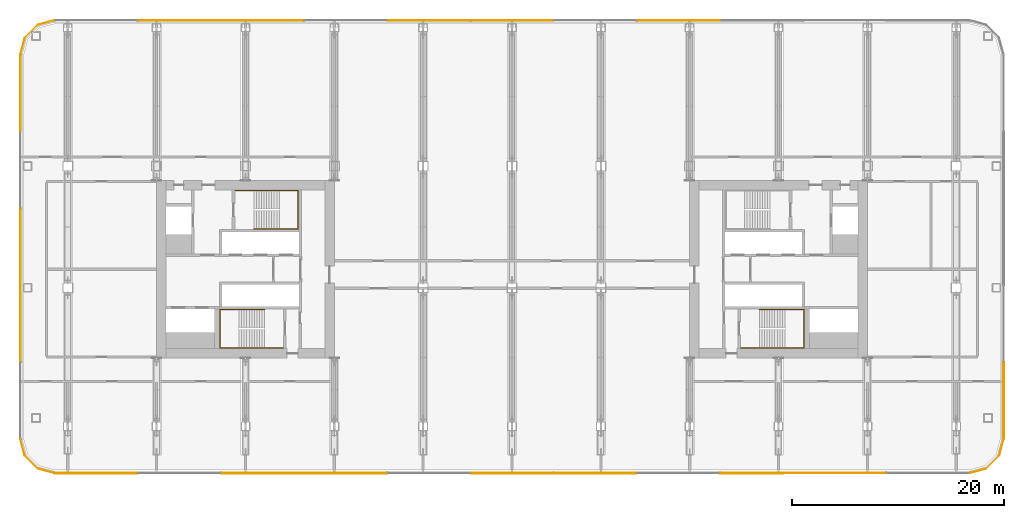
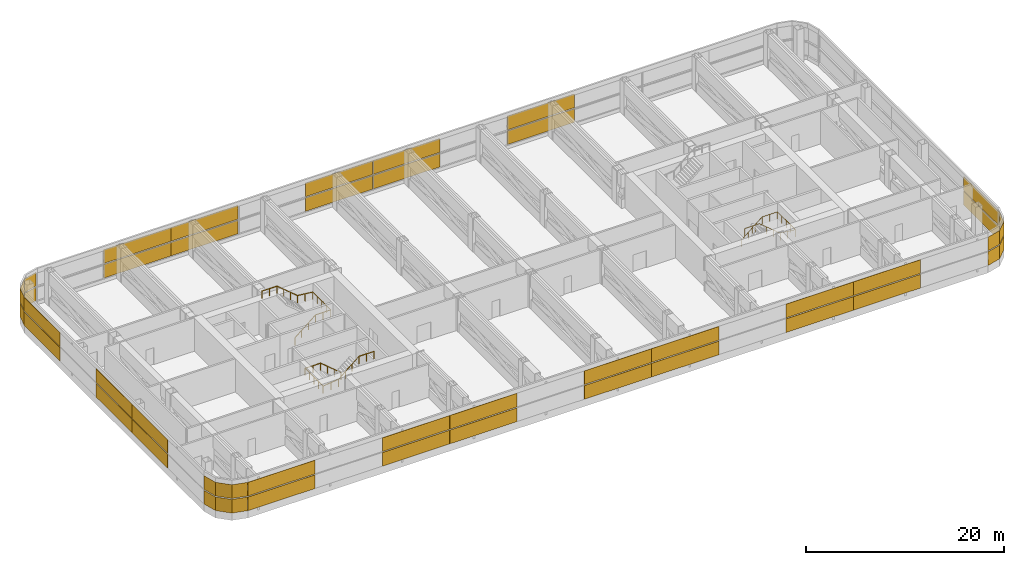
# One storey, part 30 of 31: 38 shading devices, 3 railings, 7 elements without a shape of their own.
"""IFC4 building model written with IfcOpenShell, lengths in metres."""

import ifcopenshell
import ifcopenshell.guid

model = None  # the IFC model being written
_history = None  # IfcOwnerHistory: only IFC2X3 demands one
_inside = {}  # id of a spatial element -> (the spatial element, [elements in it])
_under = {}  # id of a project, library or spatial element -> (it, [spatial elements below it])
_declared = {}  # id of a project -> (the project, [libraries it declares])
_typed = {}  # id of a type object -> (the type object, [elements of that type])
_made_of = {}  # id of a material, layer set ... -> (it, [elements and type objects made of it])


def new_model(schema):
    """Start an empty IFC model of exactly this schema.

    Asked for "IFC4X3", IfcOpenShell would pick the latest addendum, in which some entities
    have other attributes; the version numbers below select the first issue.
    IFC2X3 requires an IfcOwnerHistory on every rooted entity: one is made here for all.
    """
    global model, _history
    if schema == "IFC4X3":
        model = ifcopenshell.file(schema_version=(4, 3, 0, 0))
    else:
        model = ifcopenshell.file(schema=schema)
    _inside.clear()
    _under.clear()
    _declared.clear()
    _typed.clear()
    _made_of.clear()
    _history = None
    if model.schema == "IFC2X3":
        org = make("IfcOrganization", Name="unknown")
        user = make(
            "IfcPersonAndOrganization",
            ThePerson=make("IfcPerson", FamilyName="unknown"),
            TheOrganization=org,
        )
        app = make(
            "IfcApplication",
            ApplicationDeveloper=org,
            Version="unknown",
            ApplicationFullName="unknown",
            ApplicationIdentifier="unknown",
        )
        _history = make(
            "IfcOwnerHistory",
            OwningUser=user,
            OwningApplication=app,
            ChangeAction="ADDED",
            CreationDate=0,
        )
    return model


def make(cls, **values):
    """One entity of the class cls with the attributes given. An attribute that is None is left unset."""
    return model.create_entity(
        cls, **{name: value for name, value in values.items() if value is not None}
    )


def rooted(cls, **values):
    """An entity with a GlobalId (a new one), such as an element, a storey or a relation."""
    return make(cls, GlobalId=ifcopenshell.guid.new(), OwnerHistory=_history, **values)


def si_unit(unit_type, name, prefix=None):
    """IfcSIUnit, for example si_unit("LENGTHUNIT", "METRE", prefix="MILLI")."""
    return make("IfcSIUnit", UnitType=unit_type, Prefix=prefix, Name=name)


def assignment(units):
    """IfcUnitAssignment: the units of a project."""
    return None if units is None else make("IfcUnitAssignment", Units=units)


def point(xyz):
    """IfcCartesianPoint."""
    return None if xyz is None else make("IfcCartesianPoint", Coordinates=xyz)


def direction(xyz):
    """IfcDirection."""
    return None if xyz is None else make("IfcDirection", DirectionRatios=xyz)


def frame(location, z_axis=None, x_axis=None):
    """IfcAxis2Placement3D, a coordinate frame: its origin and axes. An axis left out is left unset."""
    return make(
        "IfcAxis2Placement3D",
        Location=point(location),
        Axis=direction(z_axis),
        RefDirection=direction(x_axis),
    )


def frame_2d(location, x_axis=None):
    """IfcAxis2Placement2D, a coordinate frame in the plane: its origin and x axis."""
    return make(
        "IfcAxis2Placement2D", Location=point(location), RefDirection=direction(x_axis)
    )


def origin():
    """The frame at (0, 0, 0) with its axes left unset."""
    return frame((0.0, 0.0, 0.0))


def origin_2d():
    """The frame at (0, 0) in the plane with its x axis left unset."""
    return frame_2d((0.0, 0.0))


def place(relative_to, where):
    """IfcLocalPlacement: puts the frame where relative to a parent placement (None: the world)."""
    return make(
        "IfcLocalPlacement", PlacementRelTo=relative_to, RelativePlacement=where
    )


def context(
    kind, dimensions, precision=None, world=None, true_north=None, identifier=None
):
    """IfcGeometricRepresentationContext, for example the 3D "Model" context."""
    return make(
        "IfcGeometricRepresentationContext",
        ContextIdentifier=identifier,
        ContextType=kind,
        CoordinateSpaceDimension=dimensions,
        Precision=precision,
        WorldCoordinateSystem=world,
        TrueNorth=true_north,
    )


def subcontext(parent, identifier, kind, view, scale=None):
    """IfcGeometricRepresentationSubContext, for example "Body" below "Model"."""
    return make(
        "IfcGeometricRepresentationSubContext",
        ContextIdentifier=identifier,
        ContextType=kind,
        ParentContext=parent,
        TargetScale=scale,
        TargetView=view,
    )


def project(units=None, contexts=None):
    """IfcProject with its units and contexts."""
    return rooted(
        "IfcProject",
        Name="project",
        RepresentationContexts=contexts,
        UnitsInContext=assignment(units),
    )


def spatial(cls, under=None, at=None, **own):
    """A site, building, storey or space (cls), placed at a placement, below another one or the project."""
    s = rooted(cls, ObjectPlacement=at, **own)
    if under is not None:
        _under.setdefault(under.id(), (under, []))[1].append(s)
    return s


def polyline(points):
    """IfcPolyline through the points."""
    return make("IfcPolyline", Points=[point(p) for p in points])


def profile(cls, at=None, kind="AREA", **sizes):
    """A parametric profile (cls). Its sizes go by their IFC names, for example OverallWidth=200.0."""
    return make(cls, ProfileType=kind, Position=at, **sizes)


def rectangle(**sizes):
    """IfcRectangleProfileDef."""
    return profile("IfcRectangleProfileDef", **sizes)


def circle(**sizes):
    """IfcCircleProfileDef."""
    return profile("IfcCircleProfileDef", **sizes)


def outline(outer, holes=None, kind="AREA"):
    """IfcArbitraryClosedProfileDef: a profile drawn as a closed curve; with holes, ...WithVoids."""
    if holes is None:
        return make("IfcArbitraryClosedProfileDef", ProfileType=kind, OuterCurve=outer)
    return make(
        "IfcArbitraryProfileDefWithVoids",
        ProfileType=kind,
        OuterCurve=outer,
        InnerCurves=holes,
    )


def extrude(swept, where, along, depth):
    """IfcExtrudedAreaSolid: the profile swept, set in the frame where, extruded along a direction by depth."""
    return make(
        "IfcExtrudedAreaSolid",
        SweptArea=swept,
        Position=where,
        ExtrudedDirection=direction(along),
        Depth=depth,
    )


def shape(context_of_items, identifier, shape_type, items):
    """IfcShapeRepresentation: the items that make up one representation, for example the "Body"."""
    return make(
        "IfcShapeRepresentation",
        ContextOfItems=context_of_items,
        RepresentationIdentifier=identifier,
        RepresentationType=shape_type,
        Items=items,
    )


def material(Name=None, Category=None):
    """IfcMaterial."""
    return make("IfcMaterial", Name=Name, Category=Category)


def layer(
    of_material, thickness, ventilated=None, Name=None, Category=None, Priority=None
):
    """IfcMaterialLayer: one layer of a wall or slab, of a material (None: an air gap)."""
    return make(
        "IfcMaterialLayer",
        Material=of_material,
        LayerThickness=thickness,
        IsVentilated=ventilated,
        Name=Name,
        Category=Category,
        Priority=Priority,
    )


def layer_set(layers, Name=None):
    """IfcMaterialLayerSet."""
    return make("IfcMaterialLayerSet", MaterialLayers=layers, LayerSetName=Name)


def made_of(thing, what):
    """Note that an element or type object is made of a material, layer set ...; save() writes the relation."""
    if what is not None:
        _made_of.setdefault(what.id(), (what, []))[1].append(thing)
    return thing


def type_object(cls, material=None, **own):
    """A type object (cls), such as IfcWallType, which elements share."""
    return made_of(rooted(cls, **own), material)


def element(
    cls,
    number,
    at=None,
    inside=None,
    cuts=None,
    type_object=None,
    material=None,
    context=None,
    identifier="Body",
    shape_type=None,
    held_by="IfcProductDefinitionShape",
    body=None,
    shapes=None,
    **own,
):
    """One element of the class cls, such as IfcWall. Its Tag is "e" and its number.

    at: its placement. inside: the storey or other place that contains it. cuts: it is an
    opening in that element (IfcRelVoidsElement). A single representation is given by context,
    identifier, shape_type and body (its items); several are given by shapes. held_by: the class
    of the entity that holds the representations. save() writes the other relations.
    """
    e = rooted(cls, Tag="e%d" % number, ObjectPlacement=at, **own)
    if body is not None:
        shapes = [shape(context, identifier, shape_type, body)]
    if shapes is not None:
        e.Representation = make(held_by, Representations=shapes)
    if inside is not None:
        _inside.setdefault(inside.id(), (inside, []))[1].append(e)
    if cuts is not None:
        rooted(
            "IfcRelVoidsElement", RelatingBuildingElement=cuts, RelatedOpeningElement=e
        )
    if type_object is not None:
        _typed.setdefault(type_object.id(), (type_object, []))[1].append(e)
    return made_of(e, material)


def aggregate(whole, parts):
    """IfcRelAggregates: a whole, such as a stair, and the parts it consists of."""
    return rooted("IfcRelAggregates", RelatingObject=whole, RelatedObjects=parts)


def save(model, path):
    """Write the relations noted so far, then the file.

    IfcRelAggregates (storeys below a building ...), IfcRelContainedInSpatialStructure (elements
    in a storey), IfcRelDefinesByType, IfcRelAssociatesMaterial and IfcRelDeclares: one each for
    every whole, place, type object, material and project.
    """
    for whole, parts in _under.values():
        aggregate(whole, parts)
    for where, things in _inside.values():
        rooted(
            "IfcRelContainedInSpatialStructure",
            RelatedElements=things,
            RelatingStructure=where,
        )
    for kind, things in _typed.values():
        rooted("IfcRelDefinesByType", RelatedObjects=things, RelatingType=kind)
    for what, things in _made_of.values():
        rooted("IfcRelAssociatesMaterial", RelatedObjects=things, RelatingMaterial=what)
    for by, libraries in _declared.values():
        rooted("IfcRelDeclares", RelatingContext=by, RelatedDefinitions=libraries)
    model.write(path)


model = new_model("IFC4")

# Units and contexts
model_context = context("Model", 3, precision=1e-05, world=origin(), true_north=direction((0.0, 1.0)))
body_context = subcontext(model_context, "Body", "Model", "MODEL_VIEW")
ifc_project = project(units=[si_unit("LENGTHUNIT", "METRE"), si_unit("AREAUNIT", "SQUARE_METRE"), si_unit("VOLUMEUNIT", "CUBIC_METRE"), si_unit("PLANEANGLEUNIT", "RADIAN"), si_unit("MASSUNIT", "GRAM", prefix="KILO")], contexts=[model_context])

# Site, building, storey
site_placement = place(None, origin())
site = spatial("IfcSite", under=ifc_project, at=site_placement, CompositionType="ELEMENT")
building_placement = place(site_placement, origin())
building = spatial("IfcBuilding", under=site, at=building_placement, Name="Hakoniwa Tower and Hamabe Station Hall", CompositionType="ELEMENT")
storey_placement = place(building_placement, frame((0.0, 0.0, 120.199951171875)))
storey = spatial("IfcBuildingStorey", under=building, at=storey_placement, Name="L34", CompositionType="ELEMENT", Elevation=120.199951171875)

# Curtain wall, shading devices
ifc_material_1 = material(Name="Dark low-e laminated glass", Category="glass")
ifc_layer_1 = layer(ifc_material_1, 0.199951171875)
ifc_layer_set_1 = layer_set([ifc_layer_1], Name="CW-6 PLANT LOUVRE")
curtain_wall_type = type_object("IfcCurtainWallType", Name="CW-6 PLANT LOUVRE", PredefinedType="NOTDEFINED", material=ifc_layer_set_1)
curtain_wall_1_placement = place(storey_placement, origin())
curtain_wall_1 = element("IfcCurtainWall", 1, at=curtain_wall_1_placement, inside=storey, type_object=curtain_wall_type, Name="CW-6 curtain wall", PredefinedType="NOTDEFINED")
ifc_material_2 = material(Name="Aluminium 6063-T5 black anodised louvre", Category="aluminium")
ifc_layer_2 = layer(ifc_material_2, 0.06005859375)
ifc_layer_set_2 = layer_set([ifc_layer_2], Name="CW-6 LOUVRE UNIT")
shading_device_type = type_object("IfcShadingDeviceType", Name="CW-6 LOUVRE UNIT", PredefinedType="JALOUSIE", material=ifc_layer_set_2)
shading_device_1_placement = place(storey_placement, frame((46.486083984375, -12.406494140625, 0.35009765625), z_axis=(0.0, 0.0, 1.0), x_axis=(0.0, 1.0, 0.0)))
shading_device_1 = element("IfcShadingDevice", 2, at=shading_device_1_placement, type_object=shading_device_type, Name="CW-6 louvre unit", PredefinedType="JALOUSIE", context=body_context, shape_type="SweptSolid", body=[
    extrude(rectangle(XDim=7.245849609375, YDim=0.06005859375, at=origin_2d()), origin(), (0.0, 0.0, 1.0), 1.68994140625),
])
shading_device_2_placement = place(storey_placement, frame((46.486083984375, -12.406494140625, 2.16015625), z_axis=(0.0, 0.0, 1.0), x_axis=(0.0, 1.0, 0.0)))
shading_device_2 = element("IfcShadingDevice", 3, at=shading_device_2_placement, type_object=shading_device_type, Name="CW-6 louvre unit", PredefinedType="JALOUSIE", context=body_context, shape_type="SweptSolid", body=[
    extrude(rectangle(XDim=7.245849609375, YDim=0.06005859375, at=origin_2d()), origin(), (0.0, 0.0, 1.0), 1.68994140625),
])
aggregate(curtain_wall_1, [shading_device_1, shading_device_2])

curtain_wall_2_placement = place(storey_placement, origin())
curtain_wall_2 = element("IfcCurtainWall", 4, at=curtain_wall_2_placement, inside=storey, type_object=curtain_wall_type, Name="CW-6 curtain wall", PredefinedType="NOTDEFINED")
shading_device_3_placement = place(storey_placement, frame((15.723388671875, 23.535888671875, 0.35009765625), z_axis=(0.0, 0.0, 1.0), x_axis=(-1.0, 0.0, 0.0)))
shading_device_3 = element("IfcShadingDevice", 5, at=shading_device_3_placement, type_object=shading_device_type, Name="CW-6 louvre unit", PredefinedType="JALOUSIE", context=body_context, shape_type="SweptSolid", body=[
    extrude(rectangle(XDim=7.841796875, YDim=0.06005859375, at=origin_2d()), origin(), (0.0, 0.0, 1.0), 1.68994140625),
])
shading_device_4_placement = place(storey_placement, frame((15.723388671875, 23.535888671875, 2.16015625), z_axis=(0.0, 0.0, 1.0), x_axis=(-1.0, 0.0, 0.0)))
shading_device_4 = element("IfcShadingDevice", 6, at=shading_device_4_placement, type_object=shading_device_type, Name="CW-6 louvre unit", PredefinedType="JALOUSIE", context=body_context, shape_type="SweptSolid", body=[
    extrude(rectangle(XDim=7.841796875, YDim=0.06005859375, at=origin_2d()), origin(), (0.0, 0.0, 1.0), 1.68994140625),
])
shading_device_5_placement = place(storey_placement, frame((0.0, 23.535888671875, 0.35009765625), z_axis=(0.0, 0.0, 1.0), x_axis=(-1.0, 0.0, 0.0)))
shading_device_5 = element("IfcShadingDevice", 7, at=shading_device_5_placement, type_object=shading_device_type, Name="CW-6 louvre unit", PredefinedType="JALOUSIE", context=body_context, shape_type="SweptSolid", body=[
    extrude(rectangle(XDim=7.841796875, YDim=0.06005859375, at=origin_2d()), origin(), (0.0, 0.0, 1.0), 1.68994140625),
])
shading_device_6_placement = place(storey_placement, frame((0.0, 23.535888671875, 2.16015625), z_axis=(0.0, 0.0, 1.0), x_axis=(-1.0, 0.0, 0.0)))
shading_device_6 = element("IfcShadingDevice", 8, at=shading_device_6_placement, type_object=shading_device_type, Name="CW-6 louvre unit", PredefinedType="JALOUSIE", context=body_context, shape_type="SweptSolid", body=[
    extrude(rectangle(XDim=7.841796875, YDim=0.06005859375, at=origin_2d()), origin(), (0.0, 0.0, 1.0), 1.68994140625),
])
shading_device_7_placement = place(storey_placement, frame((-7.86181640625, 23.535888671875, 0.35009765625), z_axis=(0.0, 0.0, 1.0), x_axis=(-1.0, 0.0, 0.0)))
shading_device_7 = element("IfcShadingDevice", 9, at=shading_device_7_placement, type_object=shading_device_type, Name="CW-6 louvre unit", PredefinedType="JALOUSIE", context=body_context, shape_type="SweptSolid", body=[
    extrude(rectangle(XDim=7.841796875, YDim=0.06005859375, at=origin_2d()), origin(), (0.0, 0.0, 1.0), 1.68994140625),
])
shading_device_8_placement = place(storey_placement, frame((-7.86181640625, 23.535888671875, 2.16015625), z_axis=(0.0, 0.0, 1.0), x_axis=(-1.0, 0.0, 0.0)))
shading_device_8 = element("IfcShadingDevice", 10, at=shading_device_8_placement, type_object=shading_device_type, Name="CW-6 louvre unit", PredefinedType="JALOUSIE", context=body_context, shape_type="SweptSolid", body=[
    extrude(rectangle(XDim=7.841796875, YDim=0.06005859375, at=origin_2d()), origin(), (0.0, 0.0, 1.0), 1.68994140625),
])
shading_device_9_placement = place(storey_placement, frame((-23.585205078125, 23.535888671875, 0.35009765625), z_axis=(0.0, 0.0, 1.0), x_axis=(-1.0, 0.0, 0.0)))
shading_device_9 = element("IfcShadingDevice", 11, at=shading_device_9_placement, type_object=shading_device_type, Name="CW-6 louvre unit", PredefinedType="JALOUSIE", context=body_context, shape_type="SweptSolid", body=[
    extrude(rectangle(XDim=7.841796875, YDim=0.06005859375, at=origin_2d()), origin(), (0.0, 0.0, 1.0), 1.68994140625),
])
shading_device_10_placement = place(storey_placement, frame((-23.585205078125, 23.535888671875, 2.16015625), z_axis=(0.0, 0.0, 1.0), x_axis=(-1.0, 0.0, 0.0)))
shading_device_10 = element("IfcShadingDevice", 12, at=shading_device_10_placement, type_object=shading_device_type, Name="CW-6 louvre unit", PredefinedType="JALOUSIE", context=body_context, shape_type="SweptSolid", body=[
    extrude(rectangle(XDim=7.841796875, YDim=0.06005859375, at=origin_2d()), origin(), (0.0, 0.0, 1.0), 1.68994140625),
])
shading_device_11_placement = place(storey_placement, frame((-31.447021484375, 23.535888671875, 0.35009765625), z_axis=(0.0, 0.0, 1.0), x_axis=(-1.0, 0.0, 0.0)))
shading_device_11 = element("IfcShadingDevice", 13, at=shading_device_11_placement, type_object=shading_device_type, Name="CW-6 louvre unit", PredefinedType="JALOUSIE", context=body_context, shape_type="SweptSolid", body=[
    extrude(rectangle(XDim=7.841796875, YDim=0.06005859375, at=origin_2d()), origin(), (0.0, 0.0, 1.0), 1.68994140625),
])
shading_device_12_placement = place(storey_placement, frame((-31.447021484375, 23.535888671875, 2.16015625), z_axis=(0.0, 0.0, 1.0), x_axis=(-1.0, 0.0, 0.0)))
shading_device_12 = element("IfcShadingDevice", 14, at=shading_device_12_placement, type_object=shading_device_type, Name="CW-6 louvre unit", PredefinedType="JALOUSIE", context=body_context, shape_type="SweptSolid", body=[
    extrude(rectangle(XDim=7.841796875, YDim=0.06005859375, at=origin_2d()), origin(), (0.0, 0.0, 1.0), 1.68994140625),
])
aggregate(curtain_wall_2, [shading_device_3, shading_device_4, shading_device_5, shading_device_6, shading_device_7, shading_device_8, shading_device_9, shading_device_10, shading_device_11, shading_device_12])

curtain_wall_3_placement = place(storey_placement, origin())
curtain_wall_3 = element("IfcCurtainWall", 15, at=curtain_wall_3_placement, inside=storey, type_object=curtain_wall_type, Name="CW-6 curtain wall", PredefinedType="NOTDEFINED")
shading_device_13_placement = place(storey_placement, frame((0.0, 0.0, 0.35009765625)))
shading_device_13 = element("IfcShadingDevice", 16, at=shading_device_13_placement, type_object=shading_device_type, Name="CW-6 curved corner unit", PredefinedType="JALOUSIE", context=body_context, shape_type="SweptSolid", body=[
    extrude(outline(polyline([(-43.278076171875, 23.53955078125), (-44.855224609375, 23.116943359375), (-46.067138671875, 21.9052734375), (-46.48974609375, 20.328125), (-46.462646484375, 20.32080078125), (-46.0419921875, 21.890869140625), (-44.8408203125, 23.092041015625), (-43.27099609375, 23.5126953125), (-43.278076171875, 23.53955078125)])), origin(), (0.0, 0.0, 1.0), 1.68994140625),
])
shading_device_14_placement = place(storey_placement, frame((0.0, 0.0, 2.16015625)))
shading_device_14 = element("IfcShadingDevice", 17, at=shading_device_14_placement, type_object=shading_device_type, Name="CW-6 curved corner unit", PredefinedType="JALOUSIE", context=body_context, shape_type="SweptSolid", body=[
    extrude(outline(polyline([(-43.278076171875, 23.53955078125), (-44.855224609375, 23.116943359375), (-46.067138671875, 21.9052734375), (-46.48974609375, 20.328125), (-46.462646484375, 20.32080078125), (-46.0419921875, 21.890869140625), (-44.8408203125, 23.092041015625), (-43.27099609375, 23.5126953125), (-43.278076171875, 23.53955078125)])), origin(), (0.0, 0.0, 1.0), 1.68994140625),
])
aggregate(curtain_wall_3, [shading_device_13, shading_device_14])

curtain_wall_4_placement = place(storey_placement, origin())
curtain_wall_4 = element("IfcCurtainWall", 18, at=curtain_wall_4_placement, inside=storey, type_object=curtain_wall_type, Name="CW-6 curtain wall", PredefinedType="NOTDEFINED")
shading_device_15_placement = place(storey_placement, frame((-46.486083984375, 16.656494140625, 0.35009765625), z_axis=(0.0, 0.0, 1.0), x_axis=(0.0, -1.0, 0.0)))
shading_device_15 = element("IfcShadingDevice", 19, at=shading_device_15_placement, type_object=shading_device_type, Name="CW-6 louvre unit", PredefinedType="JALOUSIE", context=body_context, shape_type="SweptSolid", body=[
    extrude(rectangle(XDim=7.245849609375, YDim=0.06005859375, at=origin_2d()), origin(), (0.0, 0.0, 1.0), 1.68994140625),
])
shading_device_16_placement = place(storey_placement, frame((-46.486083984375, 16.656494140625, 2.16015625), z_axis=(0.0, 0.0, 1.0), x_axis=(0.0, -1.0, 0.0)))
shading_device_16 = element("IfcShadingDevice", 20, at=shading_device_16_placement, type_object=shading_device_type, Name="CW-6 louvre unit", PredefinedType="JALOUSIE", context=body_context, shape_type="SweptSolid", body=[
    extrude(rectangle(XDim=7.245849609375, YDim=0.06005859375, at=origin_2d()), origin(), (0.0, 0.0, 1.0), 1.68994140625),
])
shading_device_17_placement = place(storey_placement, frame((-46.486083984375, 2.125, 0.35009765625), z_axis=(0.0, 0.0, 1.0), x_axis=(0.0, -1.0, 0.0)))
shading_device_17 = element("IfcShadingDevice", 21, at=shading_device_17_placement, type_object=shading_device_type, Name="CW-6 louvre unit", PredefinedType="JALOUSIE", context=body_context, shape_type="SweptSolid", body=[
    extrude(rectangle(XDim=7.245849609375, YDim=0.06005859375, at=origin_2d()), origin(), (0.0, 0.0, 1.0), 1.68994140625),
])
shading_device_18_placement = place(storey_placement, frame((-46.486083984375, 2.125, 2.16015625), z_axis=(0.0, 0.0, 1.0), x_axis=(0.0, -1.0, 0.0)))
shading_device_18 = element("IfcShadingDevice", 22, at=shading_device_18_placement, type_object=shading_device_type, Name="CW-6 louvre unit", PredefinedType="JALOUSIE", context=body_context, shape_type="SweptSolid", body=[
    extrude(rectangle(XDim=7.245849609375, YDim=0.06005859375, at=origin_2d()), origin(), (0.0, 0.0, 1.0), 1.68994140625),
])
shading_device_19_placement = place(storey_placement, frame((-46.486083984375, -5.140869140625, 0.35009765625), z_axis=(0.0, 0.0, 1.0), x_axis=(0.0, -1.0, 0.0)))
shading_device_19 = element("IfcShadingDevice", 23, at=shading_device_19_placement, type_object=shading_device_type, Name="CW-6 louvre unit", PredefinedType="JALOUSIE", context=body_context, shape_type="SweptSolid", body=[
    extrude(rectangle(XDim=7.245849609375, YDim=0.06005859375, at=origin_2d()), origin(), (0.0, 0.0, 1.0), 1.68994140625),
])
shading_device_20_placement = place(storey_placement, frame((-46.486083984375, -5.140869140625, 2.16015625), z_axis=(0.0, 0.0, 1.0), x_axis=(0.0, -1.0, 0.0)))
shading_device_20 = element("IfcShadingDevice", 24, at=shading_device_20_placement, type_object=shading_device_type, Name="CW-6 louvre unit", PredefinedType="JALOUSIE", context=body_context, shape_type="SweptSolid", body=[
    extrude(rectangle(XDim=7.245849609375, YDim=0.06005859375, at=origin_2d()), origin(), (0.0, 0.0, 1.0), 1.68994140625),
])
aggregate(curtain_wall_4, [shading_device_15, shading_device_16, shading_device_17, shading_device_18, shading_device_19, shading_device_20])

curtain_wall_5_placement = place(storey_placement, origin())
curtain_wall_5 = element("IfcCurtainWall", 25, at=curtain_wall_5_placement, inside=storey, type_object=curtain_wall_type, Name="CW-6 curtain wall", PredefinedType="NOTDEFINED")
shading_device_21_placement = place(storey_placement, frame((0.0, 0.0, 0.35009765625)))
shading_device_21 = element("IfcShadingDevice", 26, at=shading_device_21_placement, type_object=shading_device_type, Name="CW-6 curved corner unit", PredefinedType="JALOUSIE", context=body_context, shape_type="SweptSolid", body=[
    extrude(outline(polyline([(-46.48974609375, -16.078125), (-46.067138671875, -17.6552734375), (-44.855224609375, -18.866943359375), (-43.278076171875, -19.28955078125), (-43.27099609375, -19.2626953125), (-44.8408203125, -18.842041015625), (-46.0419921875, -17.640869140625), (-46.462646484375, -16.07080078125), (-46.48974609375, -16.078125)])), origin(), (0.0, 0.0, 1.0), 1.68994140625),
])
shading_device_22_placement = place(storey_placement, frame((0.0, 0.0, 2.16015625)))
shading_device_22 = element("IfcShadingDevice", 27, at=shading_device_22_placement, type_object=shading_device_type, Name="CW-6 curved corner unit", PredefinedType="JALOUSIE", context=body_context, shape_type="SweptSolid", body=[
    extrude(outline(polyline([(-46.48974609375, -16.078125), (-46.067138671875, -17.6552734375), (-44.855224609375, -18.866943359375), (-43.278076171875, -19.28955078125), (-43.27099609375, -19.2626953125), (-44.8408203125, -18.842041015625), (-46.0419921875, -17.640869140625), (-46.462646484375, -16.07080078125), (-46.48974609375, -16.078125)])), origin(), (0.0, 0.0, 1.0), 1.68994140625),
])
aggregate(curtain_wall_5, [shading_device_21, shading_device_22])

curtain_wall_6_placement = place(storey_placement, origin())
curtain_wall_6 = element("IfcCurtainWall", 28, at=curtain_wall_6_placement, inside=storey, type_object=curtain_wall_type, Name="CW-6 curtain wall", PredefinedType="NOTDEFINED")
shading_device_23_placement = place(storey_placement, frame((-39.30859375, -19.285888671875, 0.35009765625), z_axis=(0.0, 0.0, 1.0), x_axis=(1.0, 0.0, 0.0)))
shading_device_23 = element("IfcShadingDevice", 29, at=shading_device_23_placement, type_object=shading_device_type, Name="CW-6 louvre unit", PredefinedType="JALOUSIE", context=body_context, shape_type="SweptSolid", body=[
    extrude(rectangle(XDim=7.841796875, YDim=0.06005859375, at=origin_2d()), origin(), (0.0, 0.0, 1.0), 1.68994140625),
])
shading_device_24_placement = place(storey_placement, frame((-39.30859375, -19.285888671875, 2.16015625), z_axis=(0.0, 0.0, 1.0), x_axis=(1.0, 0.0, 0.0)))
shading_device_24 = element("IfcShadingDevice", 30, at=shading_device_24_placement, type_object=shading_device_type, Name="CW-6 louvre unit", PredefinedType="JALOUSIE", context=body_context, shape_type="SweptSolid", body=[
    extrude(rectangle(XDim=7.841796875, YDim=0.06005859375, at=origin_2d()), origin(), (0.0, 0.0, 1.0), 1.68994140625),
])
shading_device_25_placement = place(storey_placement, frame((-23.585205078125, -19.285888671875, 0.35009765625), z_axis=(0.0, 0.0, 1.0), x_axis=(1.0, 0.0, 0.0)))
shading_device_25 = element("IfcShadingDevice", 31, at=shading_device_25_placement, type_object=shading_device_type, Name="CW-6 louvre unit", PredefinedType="JALOUSIE", context=body_context, shape_type="SweptSolid", body=[
    extrude(rectangle(XDim=7.841796875, YDim=0.06005859375, at=origin_2d()), origin(), (0.0, 0.0, 1.0), 1.68994140625),
])
shading_device_26_placement = place(storey_placement, frame((-23.585205078125, -19.285888671875, 2.16015625), z_axis=(0.0, 0.0, 1.0), x_axis=(1.0, 0.0, 0.0)))
shading_device_26 = element("IfcShadingDevice", 32, at=shading_device_26_placement, type_object=shading_device_type, Name="CW-6 louvre unit", PredefinedType="JALOUSIE", context=body_context, shape_type="SweptSolid", body=[
    extrude(rectangle(XDim=7.841796875, YDim=0.06005859375, at=origin_2d()), origin(), (0.0, 0.0, 1.0), 1.68994140625),
])
shading_device_27_placement = place(storey_placement, frame((-15.723388671875, -19.285888671875, 0.35009765625), z_axis=(0.0, 0.0, 1.0), x_axis=(1.0, 0.0, 0.0)))
shading_device_27 = element("IfcShadingDevice", 33, at=shading_device_27_placement, type_object=shading_device_type, Name="CW-6 louvre unit", PredefinedType="JALOUSIE", context=body_context, shape_type="SweptSolid", body=[
    extrude(rectangle(XDim=7.841796875, YDim=0.06005859375, at=origin_2d()), origin(), (0.0, 0.0, 1.0), 1.68994140625),
])
shading_device_28_placement = place(storey_placement, frame((-15.723388671875, -19.285888671875, 2.16015625), z_axis=(0.0, 0.0, 1.0), x_axis=(1.0, 0.0, 0.0)))
shading_device_28 = element("IfcShadingDevice", 34, at=shading_device_28_placement, type_object=shading_device_type, Name="CW-6 louvre unit", PredefinedType="JALOUSIE", context=body_context, shape_type="SweptSolid", body=[
    extrude(rectangle(XDim=7.841796875, YDim=0.06005859375, at=origin_2d()), origin(), (0.0, 0.0, 1.0), 1.68994140625),
])
shading_device_29_placement = place(storey_placement, frame((0.0, -19.285888671875, 0.35009765625), z_axis=(0.0, 0.0, 1.0), x_axis=(1.0, 0.0, 0.0)))
shading_device_29 = element("IfcShadingDevice", 35, at=shading_device_29_placement, type_object=shading_device_type, Name="CW-6 louvre unit", PredefinedType="JALOUSIE", context=body_context, shape_type="SweptSolid", body=[
    extrude(rectangle(XDim=7.841796875, YDim=0.06005859375, at=origin_2d()), origin(), (0.0, 0.0, 1.0), 1.68994140625),
])
shading_device_30_placement = place(storey_placement, frame((0.0, -19.285888671875, 2.16015625), z_axis=(0.0, 0.0, 1.0), x_axis=(1.0, 0.0, 0.0)))
shading_device_30 = element("IfcShadingDevice", 36, at=shading_device_30_placement, type_object=shading_device_type, Name="CW-6 louvre unit", PredefinedType="JALOUSIE", context=body_context, shape_type="SweptSolid", body=[
    extrude(rectangle(XDim=7.841796875, YDim=0.06005859375, at=origin_2d()), origin(), (0.0, 0.0, 1.0), 1.68994140625),
])
shading_device_31_placement = place(storey_placement, frame((7.86181640625, -19.285888671875, 0.35009765625), z_axis=(0.0, 0.0, 1.0), x_axis=(1.0, 0.0, 0.0)))
shading_device_31 = element("IfcShadingDevice", 37, at=shading_device_31_placement, type_object=shading_device_type, Name="CW-6 louvre unit", PredefinedType="JALOUSIE", context=body_context, shape_type="SweptSolid", body=[
    extrude(rectangle(XDim=7.841796875, YDim=0.06005859375, at=origin_2d()), origin(), (0.0, 0.0, 1.0), 1.68994140625),
])
shading_device_32_placement = place(storey_placement, frame((7.86181640625, -19.285888671875, 2.16015625), z_axis=(0.0, 0.0, 1.0), x_axis=(1.0, 0.0, 0.0)))
shading_device_32 = element("IfcShadingDevice", 38, at=shading_device_32_placement, type_object=shading_device_type, Name="CW-6 louvre unit", PredefinedType="JALOUSIE", context=body_context, shape_type="SweptSolid", body=[
    extrude(rectangle(XDim=7.841796875, YDim=0.06005859375, at=origin_2d()), origin(), (0.0, 0.0, 1.0), 1.68994140625),
])
shading_device_33_placement = place(storey_placement, frame((23.585205078125, -19.285888671875, 0.35009765625), z_axis=(0.0, 0.0, 1.0), x_axis=(1.0, 0.0, 0.0)))
shading_device_33 = element("IfcShadingDevice", 39, at=shading_device_33_placement, type_object=shading_device_type, Name="CW-6 louvre unit", PredefinedType="JALOUSIE", context=body_context, shape_type="SweptSolid", body=[
    extrude(rectangle(XDim=7.841796875, YDim=0.06005859375, at=origin_2d()), origin(), (0.0, 0.0, 1.0), 1.68994140625),
])
shading_device_34_placement = place(storey_placement, frame((23.585205078125, -19.285888671875, 2.16015625), z_axis=(0.0, 0.0, 1.0), x_axis=(1.0, 0.0, 0.0)))
shading_device_34 = element("IfcShadingDevice", 40, at=shading_device_34_placement, type_object=shading_device_type, Name="CW-6 louvre unit", PredefinedType="JALOUSIE", context=body_context, shape_type="SweptSolid", body=[
    extrude(rectangle(XDim=7.841796875, YDim=0.06005859375, at=origin_2d()), origin(), (0.0, 0.0, 1.0), 1.68994140625),
])
shading_device_35_placement = place(storey_placement, frame((31.447021484375, -19.285888671875, 0.35009765625), z_axis=(0.0, 0.0, 1.0), x_axis=(1.0, 0.0, 0.0)))
shading_device_35 = element("IfcShadingDevice", 41, at=shading_device_35_placement, type_object=shading_device_type, Name="CW-6 louvre unit", PredefinedType="JALOUSIE", context=body_context, shape_type="SweptSolid", body=[
    extrude(rectangle(XDim=7.841796875, YDim=0.06005859375, at=origin_2d()), origin(), (0.0, 0.0, 1.0), 1.68994140625),
])
shading_device_36_placement = place(storey_placement, frame((31.447021484375, -19.285888671875, 2.16015625), z_axis=(0.0, 0.0, 1.0), x_axis=(1.0, 0.0, 0.0)))
shading_device_36 = element("IfcShadingDevice", 42, at=shading_device_36_placement, type_object=shading_device_type, Name="CW-6 louvre unit", PredefinedType="JALOUSIE", context=body_context, shape_type="SweptSolid", body=[
    extrude(rectangle(XDim=7.841796875, YDim=0.06005859375, at=origin_2d()), origin(), (0.0, 0.0, 1.0), 1.68994140625),
])
aggregate(curtain_wall_6, [shading_device_23, shading_device_24, shading_device_25, shading_device_26, shading_device_27, shading_device_28, shading_device_29, shading_device_30, shading_device_31, shading_device_32, shading_device_33, shading_device_34, shading_device_35, shading_device_36])

curtain_wall_7_placement = place(storey_placement, origin())
curtain_wall_7 = element("IfcCurtainWall", 43, at=curtain_wall_7_placement, inside=storey, type_object=curtain_wall_type, Name="CW-6 curtain wall", PredefinedType="NOTDEFINED")
shading_device_37_placement = place(storey_placement, frame((0.0, 0.0, 0.35009765625)))
shading_device_37 = element("IfcShadingDevice", 44, at=shading_device_37_placement, type_object=shading_device_type, Name="CW-6 curved corner unit", PredefinedType="JALOUSIE", context=body_context, shape_type="SweptSolid", body=[
    extrude(outline(polyline([(43.278076171875, -19.28955078125), (44.855224609375, -18.866943359375), (46.067138671875, -17.6552734375), (46.48974609375, -16.078125), (46.462646484375, -16.07080078125), (46.0419921875, -17.640869140625), (44.8408203125, -18.842041015625), (43.27099609375, -19.2626953125), (43.278076171875, -19.28955078125)])), origin(), (0.0, 0.0, 1.0), 1.68994140625),
])
shading_device_38_placement = place(storey_placement, frame((0.0, 0.0, 2.16015625)))
shading_device_38 = element("IfcShadingDevice", 45, at=shading_device_38_placement, type_object=shading_device_type, Name="CW-6 curved corner unit", PredefinedType="JALOUSIE", context=body_context, shape_type="SweptSolid", body=[
    extrude(outline(polyline([(43.278076171875, -19.28955078125), (44.855224609375, -18.866943359375), (46.067138671875, -17.6552734375), (46.48974609375, -16.078125), (46.462646484375, -16.07080078125), (46.0419921875, -17.640869140625), (44.8408203125, -18.842041015625), (43.27099609375, -19.2626953125), (43.278076171875, -19.28955078125)])), origin(), (0.0, 0.0, 1.0), 1.68994140625),
])
aggregate(curtain_wall_7, [shading_device_37, shading_device_38])

# Railings
ifc_material_3 = material(Name="Stainless steel SUS304", Category="steel")
railing_type = type_object("IfcRailingType", Name="STAIR HANDRAIL 900", PredefinedType="HANDRAIL", material=ifc_material_3)
railing_1_placement = place(storey_placement, frame((-24.39990234375, 3.81005859375, 0.199951171875)))
element("IfcRailing", 46, at=railing_1_placement, inside=storey, type_object=railing_type, Name="Handrail ST-1 L34 1", PredefinedType="HANDRAIL", context=body_context, shape_type="SweptSolid", body=[
    extrude(circle(Radius=0.02392578125, at=origin_2d()), frame((0.0, 0.0, 0.8759765625), z_axis=(0.768208468069, 0.0, 0.640199773186), x_axis=(0.0, 1.0, 0.0)), (0.0, 0.0, 1.0), 3.1240234375),
    extrude(circle(Radius=0.02392578125, at=origin_2d()), frame((2.39990234375, 0.0, 2.8759765625), z_axis=(1.0, 0.0, 0.0), x_axis=(0.0, 1.0, 0.0)), (0.0, 0.0, 1.0), 1.7900390625),
    extrude(circle(Radius=0.02392578125, at=origin_2d()), frame((4.18994140625, 0.0, 2.8759765625), z_axis=(0.0, 1.0, 0.0), x_axis=(-1.0, 0.0, 0.0)), (0.0, 0.0, 1.0), 3.6298828125),
    extrude(circle(Radius=0.02392578125, at=origin_2d()), frame((4.18994140625, 3.6298828125, 2.8759765625), z_axis=(-0.993804135676, 0.0, 0.111145579822), x_axis=(0.0, -1.0, 0.0)), (0.0, 0.0, 1.0), 1.80126953125),
    extrude(circle(Radius=0.02392578125, at=origin_2d()), frame((2.39990234375, 3.6298828125, 3.076171875), z_axis=(-0.768208468069, 0.0, 0.640199773186), x_axis=(0.0, -1.0, 0.0)), (0.0, 0.0, 1.0), 3.1240234375),
    extrude(circle(Radius=0.02392578125, at=origin_2d()), frame((0.0, 3.6298828125, 5.076171875), z_axis=(-1.0, 0.0, 0.0), x_axis=(0.0, -1.0, 0.0)), (0.0, 0.0, 1.0), 1.739990234375),
    extrude(circle(Radius=0.02099609375, at=origin_2d()), origin(), (0.0, 0.0, 1.0), 0.851806640625),
    extrude(circle(Radius=0.02099609375, at=origin_2d()), frame((0.800048828125, 0.0, 0.666748046875)), (0.0, 0.0, 1.0), 0.851806640625),
    extrude(circle(Radius=0.02099609375, at=origin_2d()), frame((1.599853515625, 0.0, 1.333251953125)), (0.0, 0.0, 1.0), 0.851806640625),
    extrude(circle(Radius=0.02099609375, at=origin_2d()), frame((2.39990234375, 0.0, 2.0)), (0.0, 0.0, 1.0), 0.851806640625),
    extrude(circle(Radius=0.02099609375, at=origin_2d()), frame((3.294921875, 0.0, 2.0)), (0.0, 0.0, 1.0), 0.851806640625),
    extrude(circle(Radius=0.02099609375, at=origin_2d()), frame((4.18994140625, 0.0, 2.0)), (0.0, 0.0, 1.0), 0.851806640625),
    extrude(circle(Radius=0.02099609375, at=origin_2d()), frame((4.18994140625, 0.907470703125, 2.0)), (0.0, 0.0, 1.0), 0.851806640625),
    extrude(circle(Radius=0.02099609375, at=origin_2d()), frame((4.18994140625, 1.81494140625, 2.0)), (0.0, 0.0, 1.0), 0.851806640625),
    extrude(circle(Radius=0.02099609375, at=origin_2d()), frame((4.18994140625, 2.722412109375, 2.0)), (0.0, 0.0, 1.0), 0.851806640625),
    extrude(circle(Radius=0.02099609375, at=origin_2d()), frame((4.18994140625, 3.6298828125, 2.0)), (0.0, 0.0, 1.0), 0.851806640625),
    extrude(circle(Radius=0.02099609375, at=origin_2d()), frame((3.294921875, 3.6298828125, 2.10009765625)), (0.0, 0.0, 1.0), 0.851806640625),
    extrude(circle(Radius=0.02099609375, at=origin_2d()), frame((2.39990234375, 3.6298828125, 2.2001953125)), (0.0, 0.0, 1.0), 0.851806640625),
    extrude(circle(Radius=0.02099609375, at=origin_2d()), frame((1.599853515625, 3.6298828125, 2.866943359375)), (0.0, 0.0, 1.0), 0.851806640625),
    extrude(circle(Radius=0.02099609375, at=origin_2d()), frame((0.800048828125, 3.6298828125, 3.533447265625)), (0.0, 0.0, 1.0), 0.851806640625),
    extrude(circle(Radius=0.02099609375, at=origin_2d()), frame((0.0, 3.6298828125, 4.2001953125)), (0.0, 0.0, 1.0), 0.851806640625),
    extrude(circle(Radius=0.02099609375, at=origin_2d()), frame((-0.8701171875, 3.6298828125, 4.2001953125)), (0.0, 0.0, 1.0), 0.851806640625),
    extrude(circle(Radius=0.02099609375, at=origin_2d()), frame((-1.739990234375, 3.6298828125, 4.2001953125)), (0.0, 0.0, 1.0), 0.851806640625),
])
railing_2_placement = place(storey_placement, frame((-23.39990234375, -3.81005859375, 0.199951171875)))
element("IfcRailing", 47, at=railing_2_placement, inside=storey, type_object=railing_type, Name="Handrail ST-2 L34 1", PredefinedType="HANDRAIL", context=body_context, shape_type="SweptSolid", body=[
    extrude(circle(Radius=0.02392578125, at=origin_2d()), frame((0.0, 0.0, 0.8759765625), z_axis=(-0.76824049516, 0.0, 0.640161340286), x_axis=(0.0, -1.0, 0.0)), (0.0, 0.0, 1.0), 3.124267578125),
    extrude(circle(Radius=0.02392578125, at=origin_2d()), frame((-2.400146484375, 0.0, 2.8759765625), z_axis=(-1.0, 0.0, 0.0), x_axis=(0.0, -1.0, 0.0)), (0.0, 0.0, 1.0), 1.7900390625),
    extrude(circle(Radius=0.02392578125, at=origin_2d()), frame((-4.190185546875, 0.0, 2.8759765625), z_axis=(0.0, -1.0, 0.0), x_axis=(1.0, 0.0, 0.0)), (0.0, 0.0, 1.0), 3.6298828125),
    extrude(circle(Radius=0.02392578125, at=origin_2d()), frame((-4.190185546875, -3.6298828125, 2.8759765625), z_axis=(0.993804135676, 0.0, 0.111145579822), x_axis=(0.0, 1.0, 0.0)), (0.0, 0.0, 1.0), 1.80126953125),
    extrude(circle(Radius=0.02392578125, at=origin_2d()), frame((-2.400146484375, -3.6298828125, 3.076171875), z_axis=(0.76824049516, 0.0, 0.640161340286), x_axis=(0.0, 1.0, 0.0)), (0.0, 0.0, 1.0), 3.124267578125),
    extrude(circle(Radius=0.02392578125, at=origin_2d()), frame((0.0, -3.6298828125, 5.076171875), z_axis=(1.0, 0.0, 0.0), x_axis=(0.0, 1.0, 0.0)), (0.0, 0.0, 1.0), 1.739990234375),
    extrude(circle(Radius=0.02099609375, at=origin_2d()), origin(), (0.0, 0.0, 1.0), 0.851806640625),
    extrude(circle(Radius=0.02099609375, at=origin_2d()), frame((-0.800048828125, 0.0, 0.666748046875)), (0.0, 0.0, 1.0), 0.851806640625),
    extrude(circle(Radius=0.02099609375, at=origin_2d()), frame((-1.60009765625, 0.0, 1.333251953125)), (0.0, 0.0, 1.0), 0.851806640625),
    extrude(circle(Radius=0.02099609375, at=origin_2d()), frame((-2.400146484375, 0.0, 2.0)), (0.0, 0.0, 1.0), 0.851806640625),
    extrude(circle(Radius=0.02099609375, at=origin_2d()), frame((-3.295166015625, 0.0, 2.0)), (0.0, 0.0, 1.0), 0.851806640625),
    extrude(circle(Radius=0.02099609375, at=origin_2d()), frame((-4.190185546875, 0.0, 2.0)), (0.0, 0.0, 1.0), 0.851806640625),
    extrude(circle(Radius=0.02099609375, at=origin_2d()), frame((-4.190185546875, -0.907470703125, 2.0)), (0.0, 0.0, 1.0), 0.851806640625),
    extrude(circle(Radius=0.02099609375, at=origin_2d()), frame((-4.190185546875, -1.81494140625, 2.0)), (0.0, 0.0, 1.0), 0.851806640625),
    extrude(circle(Radius=0.02099609375, at=origin_2d()), frame((-4.190185546875, -2.722412109375, 2.0)), (0.0, 0.0, 1.0), 0.851806640625),
    extrude(circle(Radius=0.02099609375, at=origin_2d()), frame((-4.190185546875, -3.6298828125, 2.0)), (0.0, 0.0, 1.0), 0.851806640625),
    extrude(circle(Radius=0.02099609375, at=origin_2d()), frame((-3.295166015625, -3.6298828125, 2.10009765625)), (0.0, 0.0, 1.0), 0.851806640625),
    extrude(circle(Radius=0.02099609375, at=origin_2d()), frame((-2.400146484375, -3.6298828125, 2.2001953125)), (0.0, 0.0, 1.0), 0.851806640625),
    extrude(circle(Radius=0.02099609375, at=origin_2d()), frame((-1.60009765625, -3.6298828125, 2.866943359375)), (0.0, 0.0, 1.0), 0.851806640625),
    extrude(circle(Radius=0.02099609375, at=origin_2d()), frame((-0.800048828125, -3.6298828125, 3.533447265625)), (0.0, 0.0, 1.0), 0.851806640625),
    extrude(circle(Radius=0.02099609375, at=origin_2d()), frame((0.0, -3.6298828125, 4.2001953125)), (0.0, 0.0, 1.0), 0.851806640625),
    extrude(circle(Radius=0.02099609375, at=origin_2d()), frame((0.8701171875, -3.6298828125, 4.2001953125)), (0.0, 0.0, 1.0), 0.851806640625),
    extrude(circle(Radius=0.02099609375, at=origin_2d()), frame((1.739990234375, -3.6298828125, 4.2001953125)), (0.0, 0.0, 1.0), 0.851806640625),
])
railing_3_placement = place(storey_placement, frame((23.39990234375, -3.81005859375, 0.199951171875)))
element("IfcRailing", 48, at=railing_3_placement, inside=storey, type_object=railing_type, Name="Handrail ST-4 L34 1", PredefinedType="HANDRAIL", context=body_context, shape_type="SweptSolid", body=[
    extrude(circle(Radius=0.02392578125, at=origin_2d()), frame((0.0, 0.0, 0.8759765625), z_axis=(0.76824049516, 0.0, 0.640161340286), x_axis=(0.0, 1.0, 0.0)), (0.0, 0.0, 1.0), 3.124267578125),
    extrude(circle(Radius=0.02392578125, at=origin_2d()), frame((2.400146484375, 0.0, 2.8759765625), z_axis=(1.0, 0.0, 0.0), x_axis=(0.0, 1.0, 0.0)), (0.0, 0.0, 1.0), 1.7900390625),
    extrude(circle(Radius=0.02392578125, at=origin_2d()), frame((4.190185546875, 0.0, 2.8759765625), z_axis=(0.0, -1.0, 0.0), x_axis=(1.0, 0.0, 0.0)), (0.0, 0.0, 1.0), 3.6298828125),
    extrude(circle(Radius=0.02392578125, at=origin_2d()), frame((4.190185546875, -3.6298828125, 2.8759765625), z_axis=(-0.993804135676, 0.0, 0.111145579822), x_axis=(0.0, -1.0, 0.0)), (0.0, 0.0, 1.0), 1.80126953125),
    extrude(circle(Radius=0.02392578125, at=origin_2d()), frame((2.400146484375, -3.6298828125, 3.076171875), z_axis=(-0.76824049516, 0.0, 0.640161340286), x_axis=(0.0, -1.0, 0.0)), (0.0, 0.0, 1.0), 3.124267578125),
    extrude(circle(Radius=0.02392578125, at=origin_2d()), frame((0.0, -3.6298828125, 5.076171875), z_axis=(-1.0, 0.0, 0.0), x_axis=(0.0, -1.0, 0.0)), (0.0, 0.0, 1.0), 1.739990234375),
    extrude(circle(Radius=0.02099609375, at=origin_2d()), origin(), (0.0, 0.0, 1.0), 0.851806640625),
    extrude(circle(Radius=0.02099609375, at=origin_2d()), frame((0.800048828125, 0.0, 0.666748046875)), (0.0, 0.0, 1.0), 0.851806640625),
    extrude(circle(Radius=0.02099609375, at=origin_2d()), frame((1.60009765625, 0.0, 1.333251953125)), (0.0, 0.0, 1.0), 0.851806640625),
    extrude(circle(Radius=0.02099609375, at=origin_2d()), frame((2.400146484375, 0.0, 2.0)), (0.0, 0.0, 1.0), 0.851806640625),
    extrude(circle(Radius=0.02099609375, at=origin_2d()), frame((3.295166015625, 0.0, 2.0)), (0.0, 0.0, 1.0), 0.851806640625),
    extrude(circle(Radius=0.02099609375, at=origin_2d()), frame((4.190185546875, 0.0, 2.0)), (0.0, 0.0, 1.0), 0.851806640625),
    extrude(circle(Radius=0.02099609375, at=origin_2d()), frame((4.190185546875, -0.907470703125, 2.0)), (0.0, 0.0, 1.0), 0.851806640625),
    extrude(circle(Radius=0.02099609375, at=origin_2d()), frame((4.190185546875, -1.81494140625, 2.0)), (0.0, 0.0, 1.0), 0.851806640625),
    extrude(circle(Radius=0.02099609375, at=origin_2d()), frame((4.190185546875, -2.722412109375, 2.0)), (0.0, 0.0, 1.0), 0.851806640625),
    extrude(circle(Radius=0.02099609375, at=origin_2d()), frame((4.190185546875, -3.6298828125, 2.0)), (0.0, 0.0, 1.0), 0.851806640625),
    extrude(circle(Radius=0.02099609375, at=origin_2d()), frame((3.295166015625, -3.6298828125, 2.10009765625)), (0.0, 0.0, 1.0), 0.851806640625),
    extrude(circle(Radius=0.02099609375, at=origin_2d()), frame((2.400146484375, -3.6298828125, 2.2001953125)), (0.0, 0.0, 1.0), 0.851806640625),
    extrude(circle(Radius=0.02099609375, at=origin_2d()), frame((1.60009765625, -3.6298828125, 2.866943359375)), (0.0, 0.0, 1.0), 0.851806640625),
    extrude(circle(Radius=0.02099609375, at=origin_2d()), frame((0.800048828125, -3.6298828125, 3.533447265625)), (0.0, 0.0, 1.0), 0.851806640625),
    extrude(circle(Radius=0.02099609375, at=origin_2d()), frame((0.0, -3.6298828125, 4.2001953125)), (0.0, 0.0, 1.0), 0.851806640625),
    extrude(circle(Radius=0.02099609375, at=origin_2d()), frame((-0.8701171875, -3.6298828125, 4.2001953125)), (0.0, 0.0, 1.0), 0.851806640625),
    extrude(circle(Radius=0.02099609375, at=origin_2d()), frame((-1.739990234375, -3.6298828125, 4.2001953125)), (0.0, 0.0, 1.0), 0.851806640625),
])

save(model, "model.ifc")
